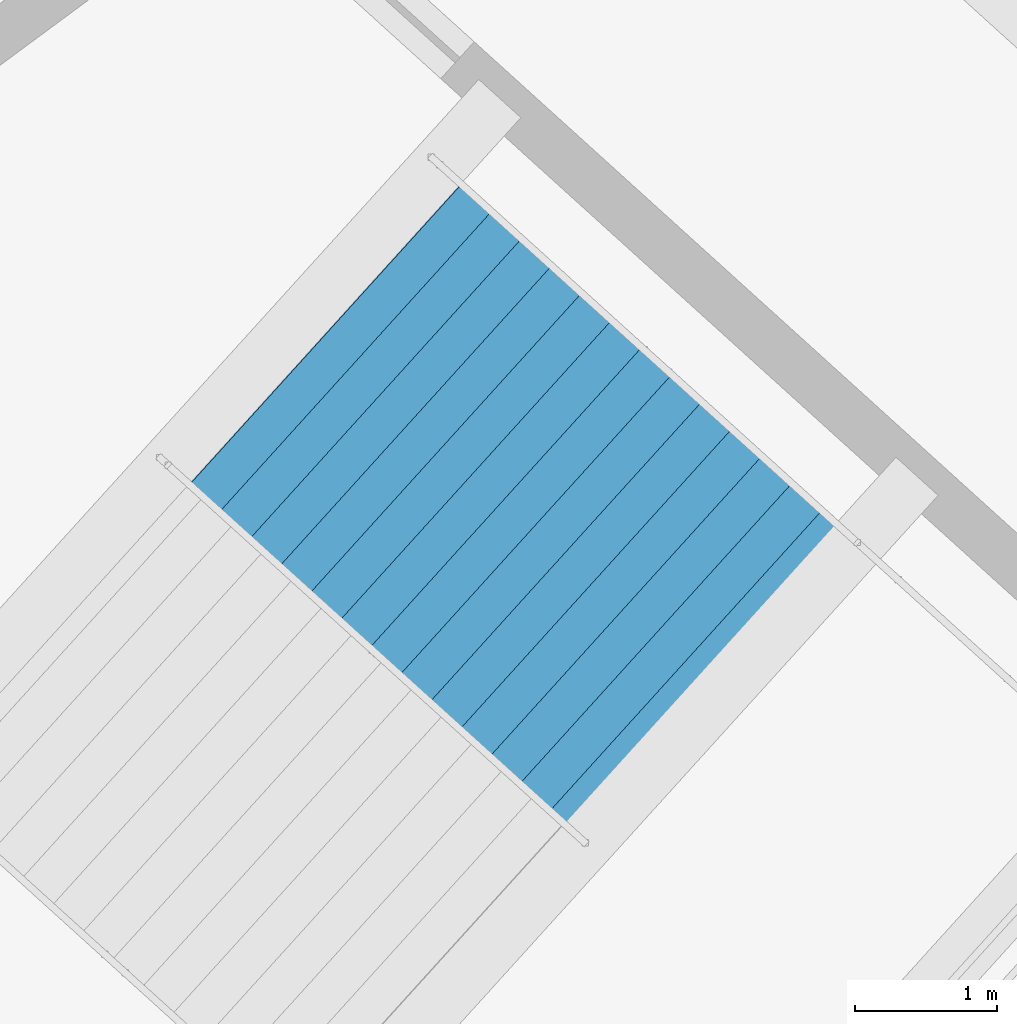
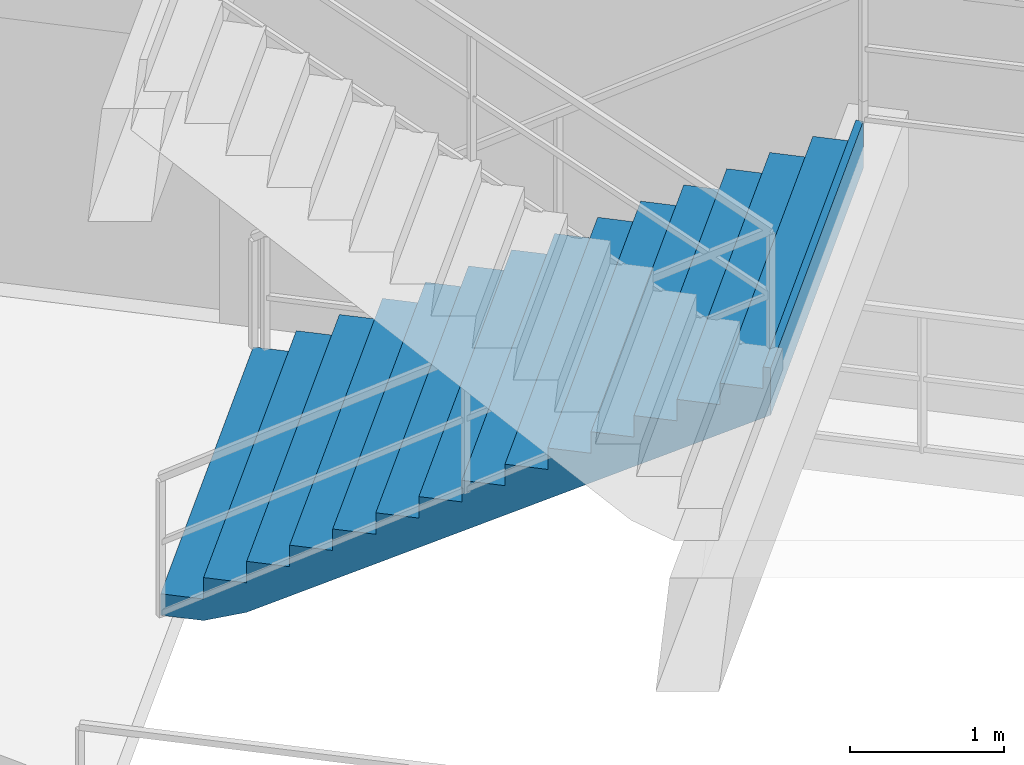
# One storey, part 154 of 184: 1 stair flight, 1 element without a shape of its own.
"""IFC4 building model written with IfcOpenShell, lengths in metres."""

from ifc_helpers import new_model, si_unit, direction, frame, origin, place, context, subcontext, project, spatial, polygons, material, type_object, element, aggregate, save


model = new_model("IFC4")

# Units and contexts
model_context = context("Model", 3, precision=1e-05, world=origin(), true_north=direction((0.0, 1.0)))
body_context = subcontext(model_context, "Body", "Model", "MODEL_VIEW")
ifc_project = project(units=[si_unit("LENGTHUNIT", "METRE"), si_unit("AREAUNIT", "SQUARE_METRE"), si_unit("VOLUMEUNIT", "CUBIC_METRE"), si_unit("PLANEANGLEUNIT", "RADIAN"), si_unit("MASSUNIT", "GRAM", prefix="KILO")], contexts=[model_context])

# Site, building, storey
site_placement = place(None, origin())
site = spatial("IfcSite", under=ifc_project, at=site_placement, CompositionType="ELEMENT")
building_placement = place(site_placement, origin())
building = spatial("IfcBuilding", under=site, at=building_placement, Name="Kazemori Nagisa Stadium", CompositionType="ELEMENT")
storey_placement = place(building_placement, frame((0.0, 0.0, 10.5400390625)))
storey = spatial("IfcBuildingStorey", under=building, at=storey_placement, Name="L02", CompositionType="ELEMENT", Elevation=10.5400390625)

# Stair, stair flight
ifc_material = material(Name="Concrete C36/45 (Fc36)", Category="concrete")
stair_type = type_object("IfcStairType", Name="Stair_CORE_30", PredefinedType="TWO_STRAIGHT_RUN_STAIR", material=ifc_material)
stair_placement = place(storey_placement, origin())
stair = element("IfcStair", 1, at=stair_placement, inside=storey, type_object=stair_type, Name="Exit stair ST03 L02", PredefinedType="TWO_STRAIGHT_RUN_STAIR")
stair_flight_type = type_object("IfcStairFlightType", Name="Flight_CORE_15", PredefinedType="STRAIGHT", material=ifc_material)
stair_flight_placement = place(storey_placement, frame((54.10791015625, 47.6630859375, 0.0), z_axis=(0.0, 0.0, 1.0), x_axis=(0.741356002691, -0.671111970742, 0.0)))
stair_flight = element("IfcStairFlight", 2, at=stair_flight_placement, type_object=stair_flight_type, Name="Exit stair ST03 L02 flight 1", NumberOfRisers=15, NumberOfTreads=14, PredefinedType="STRAIGHT", RiserHeight=0.17, TreadLength=0.285, context=body_context, shape_type="Tessellation", body=[
    polygons([(0.0, -1.425048828125, 0.0), (0.0, -1.425048828125, 0.169921875), (0.284912109375, -1.425048828125, 0.169921875), (0.284912109375, -1.425048828125, 0.340087890625), (0.570068359375, -1.425048828125, 0.340087890625), (0.570068359375, -1.425048828125, 0.510009765625), (0.85498046875, -1.425048828125, 0.510009765625), (0.85498046875, -1.425048828125, 0.679931640625), (1.139892578125, -1.425048828125, 0.679931640625), (1.139892578125, -1.425048828125, 0.85009765625), (1.425048828125, -1.425048828125, 0.85009765625), (1.425048828125, -1.425048828125, 1.02001953125), (1.7099609375, -1.425048828125, 1.02001953125), (1.7099609375, -1.425048828125, 1.18994140625), (1.9951171875, -1.425048828125, 1.18994140625), (1.9951171875, -1.425048828125, 1.360107421875), (2.280029296875, -1.425048828125, 1.360107421875), (2.280029296875, -1.425048828125, 1.530029296875), (2.56494140625, -1.425048828125, 1.530029296875), (2.56494140625, -1.425048828125, 1.699951171875), (2.85009765625, -1.425048828125, 1.699951171875), (2.85009765625, -1.425048828125, 1.8701171875), (3.135009765625, -1.425048828125, 1.8701171875), (3.135009765625, -1.425048828125, 2.0400390625), (3.419921875, -1.425048828125, 2.0400390625), (3.419921875, -1.425048828125, 2.2099609375), (3.705078125, -1.425048828125, 2.2099609375), (3.705078125, -1.425048828125, 2.3798828125), (3.989990234375, -1.425048828125, 2.3798828125), (3.989990234375, -1.425048828125, 2.550048828125), (4.0400390625, -1.425048828125, 2.550048828125), (4.0400390625, -1.425048828125, 2.177001953125), (3.989990234375, -1.425048828125, 2.147216796875), (3.705078125, -1.425048828125, 1.977294921875), (3.419921875, -1.425048828125, 1.80712890625), (3.135009765625, -1.425048828125, 1.63720703125), (2.85009765625, -1.425048828125, 1.46728515625), (2.56494140625, -1.425048828125, 1.297119140625), (2.280029296875, -1.425048828125, 1.127197265625), (1.9951171875, -1.425048828125, 0.957275390625), (1.7099609375, -1.425048828125, 0.787109375), (1.425048828125, -1.425048828125, 0.6171875), (1.139892578125, -1.425048828125, 0.447265625), (0.85498046875, -1.425048828125, 0.277099609375), (0.570068359375, -1.425048828125, 0.107177734375), (0.284912109375, -1.425048828125, 0.0), (0.0, -0.08544921875, 0.0), (0.0, -0.08544921875, 0.169921875), (0.284912109375, -0.08544921875, 0.169921875), (0.284912109375, -0.08544921875, 0.340087890625), (0.570068359375, -0.08544921875, 0.340087890625), (0.570068359375, -0.08544921875, 0.510009765625), (0.85498046875, -0.08544921875, 0.510009765625), (0.85498046875, -0.08544921875, 0.679931640625), (1.139892578125, -0.08544921875, 0.679931640625), (1.139892578125, -0.08544921875, 0.85009765625), (1.425048828125, -0.08544921875, 0.85009765625), (1.425048828125, -0.08544921875, 1.02001953125), (1.7099609375, -0.08544921875, 1.02001953125), (1.7099609375, -0.08544921875, 1.18994140625), (1.9951171875, -0.08544921875, 1.18994140625), (1.9951171875, -0.08544921875, 1.360107421875), (2.280029296875, -0.08544921875, 1.360107421875), (2.280029296875, -0.08544921875, 1.530029296875), (2.56494140625, -0.08544921875, 1.530029296875), (2.56494140625, -0.08544921875, 1.699951171875), (2.85009765625, -0.08544921875, 1.699951171875), (2.85009765625, -0.08544921875, 1.8701171875), (3.135009765625, -0.08544921875, 1.8701171875), (3.135009765625, -0.08544921875, 2.0400390625), (3.419921875, -0.08544921875, 2.0400390625), (3.419921875, -0.08544921875, 2.2099609375), (3.705078125, -0.08544921875, 2.2099609375), (3.705078125, -0.08544921875, 2.3798828125), (3.989990234375, -0.08544921875, 2.3798828125), (3.989990234375, -0.08544921875, 2.550048828125), (4.0400390625, -0.08544921875, 2.550048828125), (4.0400390625, -0.08544921875, 2.177001953125), (3.989990234375, -0.08544921875, 2.147216796875), (3.705078125, -0.08544921875, 1.977294921875), (3.419921875, -0.08544921875, 1.80712890625), (3.135009765625, -0.08544921875, 1.63720703125), (2.85009765625, -0.08544921875, 1.46728515625), (2.56494140625, -0.08544921875, 1.297119140625), (2.280029296875, -0.08544921875, 1.127197265625), (1.9951171875, -0.08544921875, 0.957275390625), (1.7099609375, -0.08544921875, 0.787109375), (1.425048828125, -0.08544921875, 0.6171875), (1.139892578125, -0.08544921875, 0.447265625), (0.85498046875, -0.08544921875, 0.277099609375), (0.570068359375, -0.08544921875, 0.107177734375), (0.284912109375, -0.08544921875, 0.0), (0.0, 0.0, 0.0), (0.0, 0.0, 0.169921875), (0.284912109375, 0.0, 0.169921875), (0.284912109375, 0.0, 0.340087890625), (0.570068359375, 0.0, 0.340087890625), (0.570068359375, 0.0, 0.510009765625), (0.85498046875, 0.0, 0.510009765625), (0.85498046875, 0.0, 0.679931640625), (1.139892578125, 0.0, 0.679931640625), (1.139892578125, 0.0, 0.85009765625), (1.425048828125, 0.0, 0.85009765625), (1.425048828125, 0.0, 1.02001953125), (1.7099609375, 0.0, 1.02001953125), (1.7099609375, 0.0, 1.18994140625), (1.9951171875, 0.0, 1.18994140625), (1.9951171875, 0.0, 1.360107421875), (2.280029296875, 0.0, 1.360107421875), (2.280029296875, 0.0, 1.530029296875), (2.56494140625, 0.0, 1.530029296875), (2.56494140625, 0.0, 1.699951171875), (2.85009765625, 0.0, 1.699951171875), (2.85009765625, 0.0, 1.8701171875), (3.135009765625, 0.0, 1.8701171875), (3.135009765625, 0.0, 2.0400390625), (3.419921875, 0.0, 2.0400390625), (3.419921875, 0.0, 2.2099609375), (3.705078125, 0.0, 2.2099609375), (3.705078125, 0.0, 2.3798828125), (3.989990234375, 0.0, 2.3798828125), (3.989990234375, 0.0, 2.550048828125), (4.0400390625, 0.0, 2.550048828125), (4.0400390625, 0.0, 2.177001953125), (3.989990234375, 0.0, 2.147216796875), (3.705078125, 0.0, 1.977294921875), (3.419921875, 0.0, 1.80712890625), (3.135009765625, 0.0, 1.63720703125), (2.85009765625, 0.0, 1.46728515625), (2.56494140625, 0.0, 1.297119140625), (2.280029296875, 0.0, 1.127197265625), (1.9951171875, 0.0, 0.957275390625), (1.7099609375, 0.0, 0.787109375), (1.425048828125, 0.0, 0.6171875), (1.139892578125, 0.0, 0.447265625), (0.85498046875, 0.0, 0.277099609375), (0.570068359375, 0.0, 0.107177734375), (0.284912109375, 0.0, 0.0), (0.0, 0.08544921875, 0.0), (0.0, 0.08544921875, 0.169921875), (0.284912109375, 0.08544921875, 0.169921875), (0.284912109375, 0.08544921875, 0.340087890625), (0.570068359375, 0.08544921875, 0.340087890625), (0.570068359375, 0.08544921875, 0.510009765625), (0.85498046875, 0.08544921875, 0.510009765625), (0.85498046875, 0.08544921875, 0.679931640625), (1.139892578125, 0.08544921875, 0.679931640625), (1.139892578125, 0.08544921875, 0.85009765625), (1.425048828125, 0.08544921875, 0.85009765625), (1.425048828125, 0.08544921875, 1.02001953125), (1.7099609375, 0.08544921875, 1.02001953125), (1.7099609375, 0.08544921875, 1.18994140625), (1.9951171875, 0.08544921875, 1.18994140625), (1.9951171875, 0.08544921875, 1.360107421875), (2.280029296875, 0.08544921875, 1.360107421875), (2.280029296875, 0.08544921875, 1.530029296875), (2.56494140625, 0.08544921875, 1.530029296875), (2.56494140625, 0.08544921875, 1.699951171875), (2.85009765625, 0.08544921875, 1.699951171875), (2.85009765625, 0.08544921875, 1.8701171875), (3.135009765625, 0.08544921875, 1.8701171875), (3.135009765625, 0.08544921875, 2.0400390625), (3.419921875, 0.08544921875, 2.0400390625), (3.419921875, 0.08544921875, 2.2099609375), (3.705078125, 0.08544921875, 2.2099609375), (3.705078125, 0.08544921875, 2.3798828125), (3.989990234375, 0.08544921875, 2.3798828125), (3.989990234375, 0.08544921875, 2.550048828125), (4.0400390625, 0.08544921875, 2.550048828125), (4.0400390625, 0.08544921875, 2.177001953125), (3.989990234375, 0.08544921875, 2.147216796875), (3.705078125, 0.08544921875, 1.977294921875), (3.419921875, 0.08544921875, 1.80712890625), (3.135009765625, 0.08544921875, 1.63720703125), (2.85009765625, 0.08544921875, 1.46728515625), (2.56494140625, 0.08544921875, 1.297119140625), (2.280029296875, 0.08544921875, 1.127197265625), (1.9951171875, 0.08544921875, 0.957275390625), (1.7099609375, 0.08544921875, 0.787109375), (1.425048828125, 0.08544921875, 0.6171875), (1.139892578125, 0.08544921875, 0.447265625), (0.85498046875, 0.08544921875, 0.277099609375), (0.570068359375, 0.08544921875, 0.107177734375), (0.284912109375, 0.08544921875, 0.0), (0.0, 1.425048828125, 0.0), (0.0, 1.425048828125, 0.169921875), (0.284912109375, 1.425048828125, 0.169921875), (0.284912109375, 1.425048828125, 0.340087890625), (0.570068359375, 1.425048828125, 0.340087890625), (0.570068359375, 1.425048828125, 0.510009765625), (0.85498046875, 1.425048828125, 0.510009765625), (0.85498046875, 1.425048828125, 0.679931640625), (1.139892578125, 1.425048828125, 0.679931640625), (1.139892578125, 1.425048828125, 0.85009765625), (1.425048828125, 1.425048828125, 0.85009765625), (1.425048828125, 1.425048828125, 1.02001953125), (1.7099609375, 1.425048828125, 1.02001953125), (1.7099609375, 1.425048828125, 1.18994140625), (1.9951171875, 1.425048828125, 1.18994140625), (1.9951171875, 1.425048828125, 1.360107421875), (2.280029296875, 1.425048828125, 1.360107421875), (2.280029296875, 1.425048828125, 1.530029296875), (2.56494140625, 1.425048828125, 1.530029296875), (2.56494140625, 1.425048828125, 1.699951171875), (2.85009765625, 1.425048828125, 1.699951171875), (2.85009765625, 1.425048828125, 1.8701171875), (3.135009765625, 1.425048828125, 1.8701171875), (3.135009765625, 1.425048828125, 2.0400390625), (3.419921875, 1.425048828125, 2.0400390625), (3.419921875, 1.425048828125, 2.2099609375), (3.705078125, 1.425048828125, 2.2099609375), (3.705078125, 1.425048828125, 2.3798828125), (3.989990234375, 1.425048828125, 2.3798828125), (3.989990234375, 1.425048828125, 2.550048828125), (4.0400390625, 1.425048828125, 2.550048828125), (4.0400390625, 1.425048828125, 2.177001953125), (3.989990234375, 1.425048828125, 2.147216796875), (3.705078125, 1.425048828125, 1.977294921875), (3.419921875, 1.425048828125, 1.80712890625), (3.135009765625, 1.425048828125, 1.63720703125), (2.85009765625, 1.425048828125, 1.46728515625), (2.56494140625, 1.425048828125, 1.297119140625), (2.280029296875, 1.425048828125, 1.127197265625), (1.9951171875, 1.425048828125, 0.957275390625), (1.7099609375, 1.425048828125, 0.787109375), (1.425048828125, 1.425048828125, 0.6171875), (1.139892578125, 1.425048828125, 0.447265625), (0.85498046875, 1.425048828125, 0.277099609375), (0.570068359375, 1.425048828125, 0.107177734375), (0.284912109375, 1.425048828125, 0.0)], [[[1, 2, 48]], [[1, 48, 47]], [[2, 3, 49]], [[2, 49, 48]], [[3, 4, 50]], [[3, 50, 49]], [[4, 5, 51]], [[4, 51, 50]], [[5, 6, 52]], [[5, 52, 51]], [[6, 7, 53]], [[6, 53, 52]], [[7, 8, 54]], [[7, 54, 53]], [[8, 9, 55]], [[8, 55, 54]], [[9, 10, 56]], [[9, 56, 55]], [[10, 11, 57]], [[10, 57, 56]], [[11, 12, 58]], [[11, 58, 57]], [[12, 13, 59]], [[12, 59, 58]], [[13, 14, 60]], [[13, 60, 59]], [[14, 15, 61]], [[14, 61, 60]], [[15, 16, 62]], [[15, 62, 61]], [[16, 17, 63]], [[16, 63, 62]], [[17, 18, 64]], [[17, 64, 63]], [[18, 19, 65]], [[18, 65, 64]], [[19, 20, 66]], [[19, 66, 65]], [[20, 21, 67]], [[20, 67, 66]], [[21, 22, 68]], [[21, 68, 67]], [[22, 23, 69]], [[22, 69, 68]], [[23, 24, 70]], [[23, 70, 69]], [[24, 25, 71]], [[24, 71, 70]], [[25, 26, 72]], [[25, 72, 71]], [[26, 27, 73]], [[26, 73, 72]], [[27, 28, 74]], [[27, 74, 73]], [[28, 29, 75]], [[28, 75, 74]], [[29, 30, 76]], [[29, 76, 75]], [[30, 31, 77]], [[30, 77, 76]], [[31, 32, 78]], [[31, 78, 77]], [[32, 33, 79]], [[32, 79, 78]], [[33, 34, 80]], [[33, 80, 79]], [[34, 35, 81]], [[34, 81, 80]], [[35, 36, 82]], [[35, 82, 81]], [[36, 37, 83]], [[36, 83, 82]], [[37, 38, 84]], [[37, 84, 83]], [[38, 39, 85]], [[38, 85, 84]], [[39, 40, 86]], [[39, 86, 85]], [[40, 41, 87]], [[40, 87, 86]], [[41, 42, 88]], [[41, 88, 87]], [[42, 43, 89]], [[42, 89, 88]], [[43, 44, 90]], [[43, 90, 89]], [[44, 45, 91]], [[44, 91, 90]], [[45, 46, 92]], [[45, 92, 91]], [[46, 1, 47]], [[46, 47, 92]], [[47, 48, 94]], [[47, 94, 93]], [[48, 49, 95]], [[48, 95, 94]], [[49, 50, 96]], [[49, 96, 95]], [[50, 51, 97]], [[50, 97, 96]], [[51, 52, 98]], [[51, 98, 97]], [[52, 53, 99]], [[52, 99, 98]], [[53, 54, 100]], [[53, 100, 99]], [[54, 55, 101]], [[54, 101, 100]], [[55, 56, 102]], [[55, 102, 101]], [[56, 57, 103]], [[56, 103, 102]], [[57, 58, 104]], [[57, 104, 103]], [[58, 59, 105]], [[58, 105, 104]], [[59, 60, 106]], [[59, 106, 105]], [[60, 61, 107]], [[60, 107, 106]], [[61, 62, 108]], [[61, 108, 107]], [[62, 63, 109]], [[62, 109, 108]], [[63, 64, 110]], [[63, 110, 109]], [[64, 65, 111]], [[64, 111, 110]], [[65, 66, 112]], [[65, 112, 111]], [[66, 67, 113]], [[66, 113, 112]], [[67, 68, 114]], [[67, 114, 113]], [[68, 69, 115]], [[68, 115, 114]], [[69, 70, 116]], [[69, 116, 115]], [[70, 71, 117]], [[70, 117, 116]], [[71, 72, 118]], [[71, 118, 117]], [[72, 73, 119]], [[72, 119, 118]], [[73, 74, 120]], [[73, 120, 119]], [[74, 75, 121]], [[74, 121, 120]], [[75, 76, 122]], [[75, 122, 121]], [[76, 77, 123]], [[76, 123, 122]], [[77, 78, 124]], [[77, 124, 123]], [[78, 79, 125]], [[78, 125, 124]], [[79, 80, 126]], [[79, 126, 125]], [[80, 81, 127]], [[80, 127, 126]], [[81, 82, 128]], [[81, 128, 127]], [[82, 83, 129]], [[82, 129, 128]], [[83, 84, 130]], [[83, 130, 129]], [[84, 85, 131]], [[84, 131, 130]], [[85, 86, 132]], [[85, 132, 131]], [[86, 87, 133]], [[86, 133, 132]], [[87, 88, 134]], [[87, 134, 133]], [[88, 89, 135]], [[88, 135, 134]], [[89, 90, 136]], [[89, 136, 135]], [[90, 91, 137]], [[90, 137, 136]], [[91, 92, 138]], [[91, 138, 137]], [[92, 47, 93]], [[92, 93, 138]], [[93, 94, 140]], [[93, 140, 139]], [[94, 95, 141]], [[94, 141, 140]], [[95, 96, 142]], [[95, 142, 141]], [[96, 97, 143]], [[96, 143, 142]], [[97, 98, 144]], [[97, 144, 143]], [[98, 99, 145]], [[98, 145, 144]], [[99, 100, 146]], [[99, 146, 145]], [[100, 101, 147]], [[100, 147, 146]], [[101, 102, 148]], [[101, 148, 147]], [[102, 103, 149]], [[102, 149, 148]], [[103, 104, 150]], [[103, 150, 149]], [[104, 105, 151]], [[104, 151, 150]], [[105, 106, 152]], [[105, 152, 151]], [[106, 107, 153]], [[106, 153, 152]], [[107, 108, 154]], [[107, 154, 153]], [[108, 109, 155]], [[108, 155, 154]], [[109, 110, 156]], [[109, 156, 155]], [[110, 111, 157]], [[110, 157, 156]], [[111, 112, 158]], [[111, 158, 157]], [[112, 113, 159]], [[112, 159, 158]], [[113, 114, 160]], [[113, 160, 159]], [[114, 115, 161]], [[114, 161, 160]], [[115, 116, 162]], [[115, 162, 161]], [[116, 117, 163]], [[116, 163, 162]], [[117, 118, 164]], [[117, 164, 163]], [[118, 119, 165]], [[118, 165, 164]], [[119, 120, 166]], [[119, 166, 165]], [[120, 121, 167]], [[120, 167, 166]], [[121, 122, 168]], [[121, 168, 167]], [[122, 123, 169]], [[122, 169, 168]], [[123, 124, 170]], [[123, 170, 169]], [[124, 125, 171]], [[124, 171, 170]], [[125, 126, 172]], [[125, 172, 171]], [[126, 127, 173]], [[126, 173, 172]], [[127, 128, 174]], [[127, 174, 173]], [[128, 129, 175]], [[128, 175, 174]], [[129, 130, 176]], [[129, 176, 175]], [[130, 131, 177]], [[130, 177, 176]], [[131, 132, 178]], [[131, 178, 177]], [[132, 133, 179]], [[132, 179, 178]], [[133, 134, 180]], [[133, 180, 179]], [[134, 135, 181]], [[134, 181, 180]], [[135, 136, 182]], [[135, 182, 181]], [[136, 137, 183]], [[136, 183, 182]], [[137, 138, 184]], [[137, 184, 183]], [[138, 93, 139]], [[138, 139, 184]], [[139, 140, 186]], [[139, 186, 185]], [[140, 141, 187]], [[140, 187, 186]], [[141, 142, 188]], [[141, 188, 187]], [[142, 143, 189]], [[142, 189, 188]], [[143, 144, 190]], [[143, 190, 189]], [[144, 145, 191]], [[144, 191, 190]], [[145, 146, 192]], [[145, 192, 191]], [[146, 147, 193]], [[146, 193, 192]], [[147, 148, 194]], [[147, 194, 193]], [[148, 149, 195]], [[148, 195, 194]], [[149, 150, 196]], [[149, 196, 195]], [[150, 151, 197]], [[150, 197, 196]], [[151, 152, 198]], [[151, 198, 197]], [[152, 153, 199]], [[152, 199, 198]], [[153, 154, 200]], [[153, 200, 199]], [[154, 155, 201]], [[154, 201, 200]], [[155, 156, 202]], [[155, 202, 201]], [[156, 157, 203]], [[156, 203, 202]], [[157, 158, 204]], [[157, 204, 203]], [[158, 159, 205]], [[158, 205, 204]], [[159, 160, 206]], [[159, 206, 205]], [[160, 161, 207]], [[160, 207, 206]], [[161, 162, 208]], [[161, 208, 207]], [[162, 163, 209]], [[162, 209, 208]], [[163, 164, 210]], [[163, 210, 209]], [[164, 165, 211]], [[164, 211, 210]], [[165, 166, 212]], [[165, 212, 211]], [[166, 167, 213]], [[166, 213, 212]], [[167, 168, 214]], [[167, 214, 213]], [[168, 169, 215]], [[168, 215, 214]], [[169, 170, 216]], [[169, 216, 215]], [[170, 171, 217]], [[170, 217, 216]], [[171, 172, 218]], [[171, 218, 217]], [[172, 173, 219]], [[172, 219, 218]], [[173, 174, 220]], [[173, 220, 219]], [[174, 175, 221]], [[174, 221, 220]], [[175, 176, 222]], [[175, 222, 221]], [[176, 177, 223]], [[176, 223, 222]], [[177, 178, 224]], [[177, 224, 223]], [[178, 179, 225]], [[178, 225, 224]], [[179, 180, 226]], [[179, 226, 225]], [[180, 181, 227]], [[180, 227, 226]], [[181, 182, 228]], [[181, 228, 227]], [[182, 183, 229]], [[182, 229, 228]], [[183, 184, 230]], [[183, 230, 229]], [[184, 139, 185]], [[184, 185, 230]], [[3, 2, 1]], [[185, 186, 187]], [[46, 3, 1]], [[185, 187, 230]], [[45, 3, 46]], [[230, 187, 229]], [[5, 3, 45]], [[229, 187, 189]], [[5, 4, 3]], [[187, 188, 189]], [[44, 5, 45]], [[229, 189, 228]], [[7, 5, 44]], [[228, 189, 191]], [[7, 6, 5]], [[189, 190, 191]], [[43, 7, 44]], [[228, 191, 227]], [[9, 7, 43]], [[227, 191, 193]], [[9, 8, 7]], [[191, 192, 193]], [[42, 9, 43]], [[227, 193, 226]], [[11, 9, 42]], [[226, 193, 195]], [[11, 10, 9]], [[193, 194, 195]], [[41, 11, 42]], [[226, 195, 225]], [[13, 11, 41]], [[225, 195, 197]], [[13, 12, 11]], [[195, 196, 197]], [[40, 13, 41]], [[225, 197, 224]], [[15, 13, 40]], [[224, 197, 199]], [[15, 14, 13]], [[197, 198, 199]], [[39, 15, 40]], [[224, 199, 223]], [[17, 15, 39]], [[223, 199, 201]], [[17, 16, 15]], [[199, 200, 201]], [[38, 17, 39]], [[223, 201, 222]], [[19, 17, 38]], [[222, 201, 203]], [[19, 18, 17]], [[201, 202, 203]], [[37, 19, 38]], [[222, 203, 221]], [[21, 19, 37]], [[221, 203, 205]], [[21, 20, 19]], [[203, 204, 205]], [[36, 21, 37]], [[221, 205, 220]], [[23, 21, 36]], [[220, 205, 207]], [[23, 22, 21]], [[205, 206, 207]], [[35, 23, 36]], [[220, 207, 219]], [[25, 23, 35]], [[219, 207, 209]], [[25, 24, 23]], [[207, 208, 209]], [[34, 25, 35]], [[219, 209, 218]], [[27, 25, 34]], [[218, 209, 211]], [[27, 26, 25]], [[209, 210, 211]], [[33, 27, 34]], [[218, 211, 217]], [[29, 27, 33]], [[217, 211, 213]], [[29, 28, 27]], [[211, 212, 213]], [[32, 29, 33]], [[217, 213, 216]], [[31, 29, 32]], [[216, 213, 215]], [[31, 30, 29]], [[213, 214, 215]]], closed=True),
])
aggregate(stair, [stair_flight])

save(model, "model.ifc")
